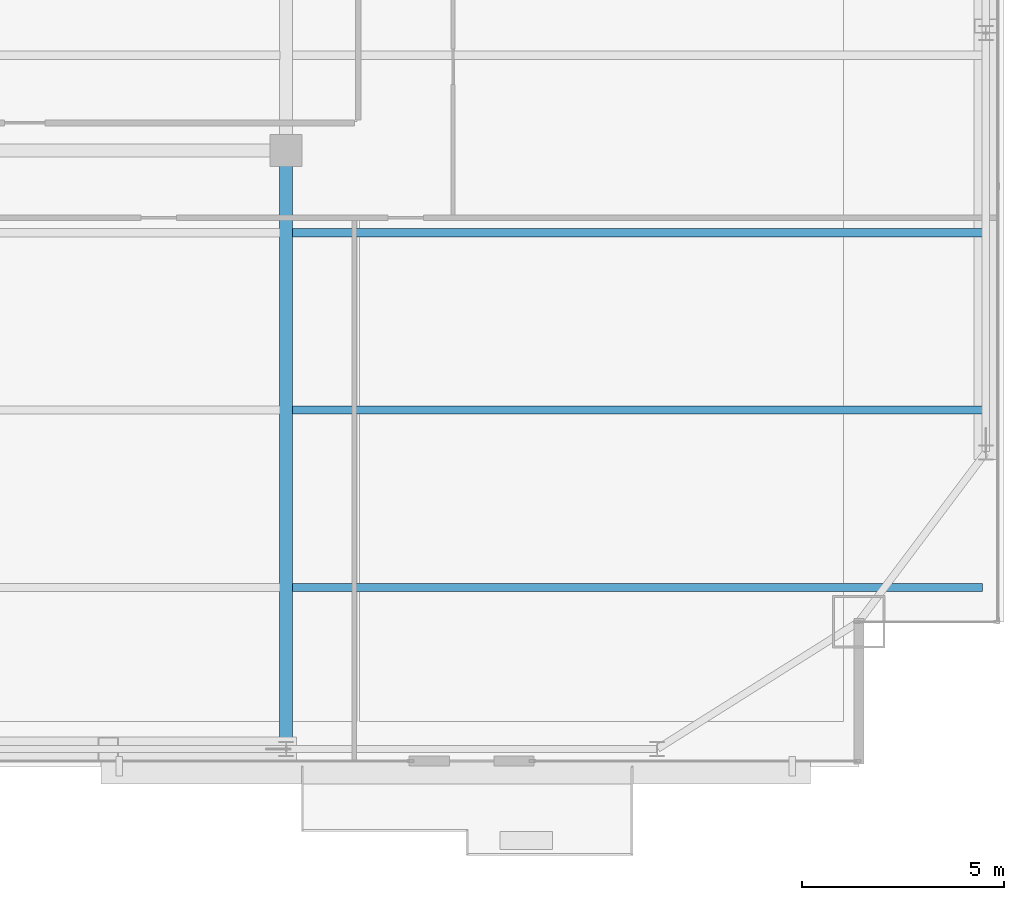
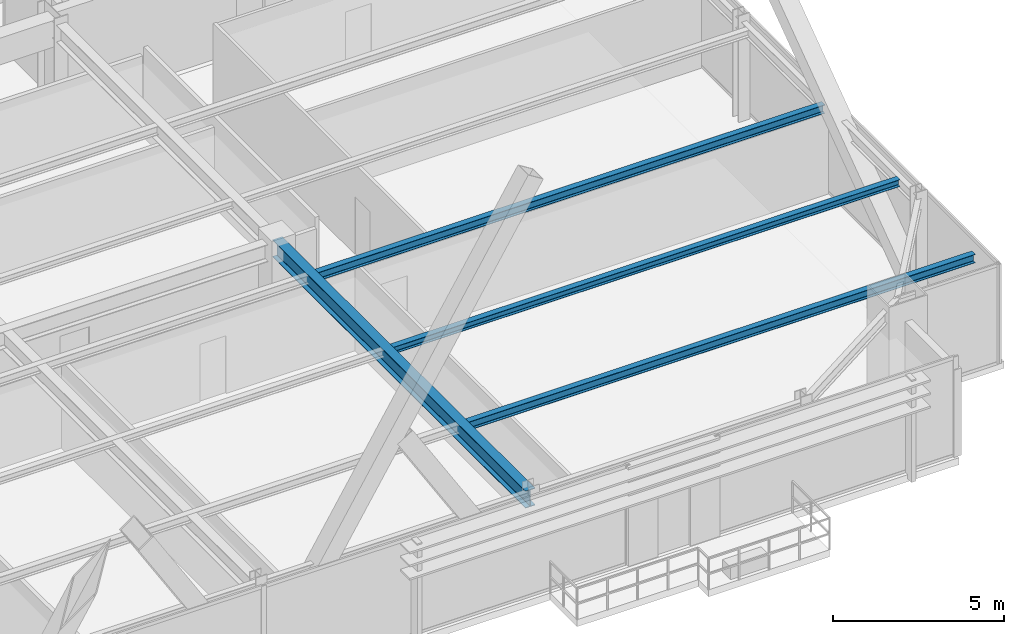
# One storey, part 15 of 34: 4 beams.
"""IFC4 building model written with IfcOpenShell, lengths in metres."""

from ifc_helpers import new_model, si_unit, direction, frame, origin, origin_2d, place, context, subcontext, project, spatial, i_section, extrude, source, transform, mapped, material, material_profile, profile_set, type_object, type_shapes, element, save


model = new_model("IFC4")

# Units and contexts
model_context = context("Model", 3, precision=1e-05, world=origin(), true_north=direction((0.0, 1.0)))
body_context = subcontext(model_context, "Body", "Model", "MODEL_VIEW")
ifc_project = project(units=[si_unit("LENGTHUNIT", "METRE"), si_unit("AREAUNIT", "SQUARE_METRE"), si_unit("VOLUMEUNIT", "CUBIC_METRE"), si_unit("PLANEANGLEUNIT", "RADIAN"), si_unit("MASSUNIT", "GRAM", prefix="KILO")], contexts=[model_context])

# Site, building, storey
site_placement = place(None, origin())
site = spatial("IfcSite", under=ifc_project, at=site_placement, CompositionType="ELEMENT")
building_placement = place(site_placement, origin())
building = spatial("IfcBuilding", under=site, at=building_placement, Name="Varnel Quay Broadcast Tower", CompositionType="ELEMENT")
storey_placement = place(building_placement, frame((0.0, 0.0, 176.199951171875)))
storey = spatial("IfcBuildingStorey", under=building, at=storey_placement, Name="L43", CompositionType="ELEMENT", Elevation=176.199951171875)

# Beams
ifc_material = material(Name="Structural Steel CSA G40.21 350W", Category="steel")
ifc_material_profile_1 = material_profile(ifc_material, i_section(OverallWidth=0.324951171875, OverallDepth=0.615966796875, WebThickness=0.013916015625, FlangeThickness=0.021484375, FilletRadius=0.01611328125, at=origin_2d()), Name="W610X174")
ifc_profile_set_1 = profile_set([ifc_material_profile_1], Name="Structural Steel CSA G40.21 350W")
beam_type_1 = type_object("IfcBeamType", Name="Girder_W610X174", PredefinedType="BEAM", material=ifc_profile_set_1)
shared_shape_1 = source(origin(), body_context, "Body", "SweptSolid", [
    extrude(i_section(OverallWidth=0.324951171875, OverallDepth=0.615966796875, WebThickness=0.013916015625, FlangeThickness=0.021484375, FilletRadius=0.01611328125, at=origin_2d()), origin(), (0.0, 0.0, 1.0), 14.800048828125),
])
type_shapes(beam_type_1, [shared_shape_1])
beam_1_placement = place(storey_placement, frame((43.199951171875, 7.669921875, 3.241943359375), z_axis=(0.0, 1.0, 0.0), x_axis=(-1.0, 0.0, 0.0)))
element("IfcBeam", 1, at=beam_1_placement, inside=storey, type_object=beam_type_1, Name="L43 Primary Girder TC-S4-IC-02", PredefinedType="BEAM", context=body_context, shape_type="MappedRepresentation", body=[
    mapped(shared_shape_1, transform((0.0, 0.0, 0.0), x_axis=(1.0, 0.0, 0.0), y_axis=(0.0, 1.0, 0.0), z_axis=(0.0, 0.0, 1.0), scale=1.0)),
])
ifc_material_profile_2 = material_profile(ifc_material, i_section(OverallWidth=0.202880859375, OverallDepth=0.302978515625, WebThickness=0.007568359375, FlangeThickness=0.01318359375, FilletRadius=0.011962890625, at=origin_2d()), Name="W310X60")
ifc_profile_set_2 = profile_set([ifc_material_profile_2], Name="Structural Steel CSA G40.21 350W")
beam_type_2 = type_object("IfcBeamType", Name="Beam_W310X60", PredefinedType="JOIST", material=ifc_profile_set_2)
shared_shape_2 = source(origin(), body_context, "Body", "SweptSolid", [
    extrude(i_section(OverallWidth=0.202880859375, OverallDepth=0.302978515625, WebThickness=0.007568359375, FlangeThickness=0.01318359375, FilletRadius=0.011962890625, at=origin_2d()), origin(), (0.0, 0.0, 1.0), 17.107177734375),
])
type_shapes(beam_type_2, [shared_shape_2])
for number, where, z_axis, x_axis, name in (
    (2, (43.357421875, 11.64990234375, 3.3984375), (1.0, 0.0, 0.0), (0.0, 1.0, 0.0), "L43 East Floor Joist 1"),
    (3, (43.357421875, 20.449951171875, 3.3984375), (1.0, 0.0, 0.0), (0.0, 1.0, 0.0), "L43 East Floor Joist 3"),
):
    element("IfcBeam", number, at=place(storey_placement, frame(where, z_axis=z_axis, x_axis=x_axis)), inside=storey, type_object=beam_type_2, Name=name, PredefinedType="JOIST", context=body_context, shape_type="MappedRepresentation", body=[
        mapped(shared_shape_2, transform((0.0, 0.0, 0.0), x_axis=(1.0, 0.0, 0.0), y_axis=(0.0, 1.0, 0.0), z_axis=(0.0, 0.0, 1.0), scale=1.0)),
    ])
ifc_material_profile_3 = material_profile(ifc_material, i_section(OverallWidth=0.201904296875, OverallDepth=0.2470703125, WebThickness=0.00732421875, FlangeThickness=0.010986328125, FilletRadius=0.010986328125, at=origin_2d()), Name="W250X49")
ifc_profile_set_3 = profile_set([ifc_material_profile_3], Name="Structural Steel CSA G40.21 350W")
beam_type_3 = type_object("IfcBeamType", Name="Beam_W250X49", PredefinedType="JOIST", material=ifc_profile_set_3)
shared_shape_3 = source(origin(), body_context, "Body", "SweptSolid", [
    extrude(i_section(OverallWidth=0.201904296875, OverallDepth=0.2470703125, WebThickness=0.00732421875, FlangeThickness=0.010986328125, FilletRadius=0.010986328125, at=origin_2d()), origin(), (0.0, 0.0, 1.0), 17.107177734375),
])
type_shapes(beam_type_3, [shared_shape_3])
beam_2_placement = place(storey_placement, frame((43.357421875, 16.050048828125, 3.426513671875), z_axis=(1.0, 0.0, 0.0), x_axis=(0.0, 1.0, 0.0)))
element("IfcBeam", 4, at=beam_2_placement, inside=storey, type_object=beam_type_3, Name="L43 East Floor Joist 2", PredefinedType="JOIST", context=body_context, shape_type="MappedRepresentation", body=[
    mapped(shared_shape_3, transform((0.0, 0.0, 0.0), x_axis=(1.0, 0.0, 0.0), y_axis=(0.0, 1.0, 0.0), z_axis=(0.0, 0.0, 1.0), scale=1.0)),
])

save(model, "model.ifc")
